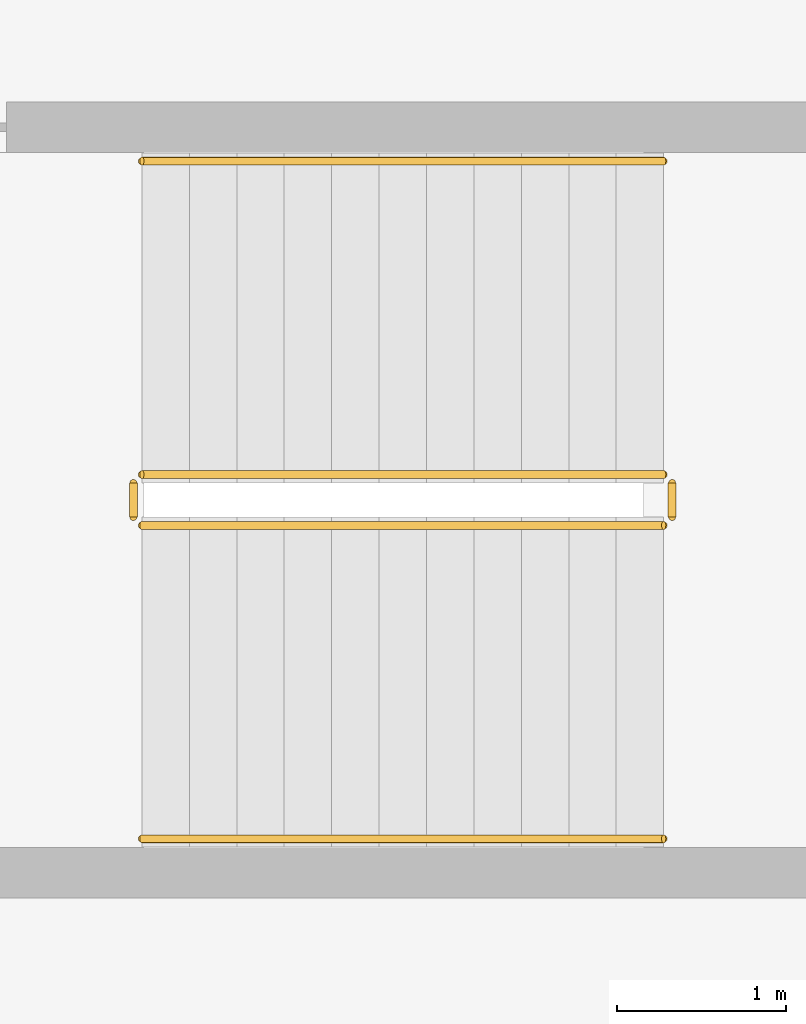
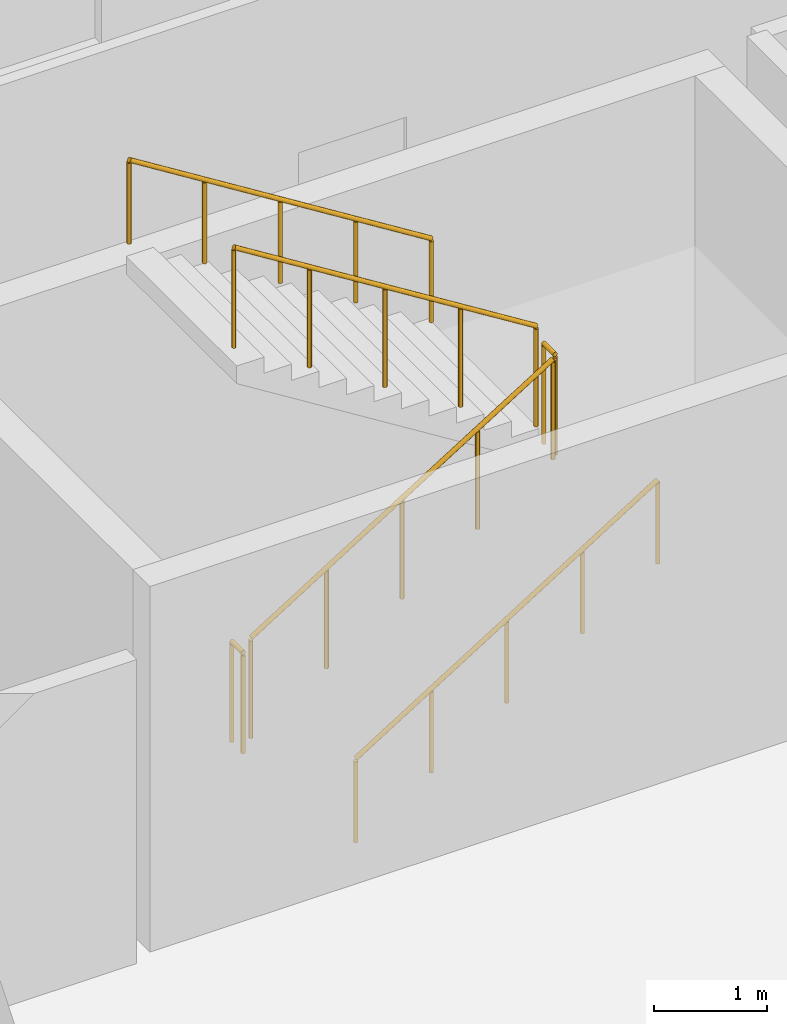
# One storey, part 91 of 94: 6 railings.
"""IFC4 building model written with IfcOpenShell, lengths in metres."""

import ifcopenshell
import ifcopenshell.guid

model = None  # the IFC model being written
_history = None  # IfcOwnerHistory: only IFC2X3 demands one
_inside = {}  # id of a spatial element -> (the spatial element, [elements in it])
_under = {}  # id of a project, library or spatial element -> (it, [spatial elements below it])
_declared = {}  # id of a project -> (the project, [libraries it declares])
_typed = {}  # id of a type object -> (the type object, [elements of that type])
_made_of = {}  # id of a material, layer set ... -> (it, [elements and type objects made of it])


def new_model(schema):
    """Start an empty IFC model of exactly this schema.

    Asked for "IFC4X3", IfcOpenShell would pick the latest addendum, in which some entities
    have other attributes; the version numbers below select the first issue.
    IFC2X3 requires an IfcOwnerHistory on every rooted entity: one is made here for all.
    """
    global model, _history
    if schema == "IFC4X3":
        model = ifcopenshell.file(schema_version=(4, 3, 0, 0))
    else:
        model = ifcopenshell.file(schema=schema)
    _inside.clear()
    _under.clear()
    _declared.clear()
    _typed.clear()
    _made_of.clear()
    _history = None
    if model.schema == "IFC2X3":
        org = make("IfcOrganization", Name="unknown")
        user = make(
            "IfcPersonAndOrganization",
            ThePerson=make("IfcPerson", FamilyName="unknown"),
            TheOrganization=org,
        )
        app = make(
            "IfcApplication",
            ApplicationDeveloper=org,
            Version="unknown",
            ApplicationFullName="unknown",
            ApplicationIdentifier="unknown",
        )
        _history = make(
            "IfcOwnerHistory",
            OwningUser=user,
            OwningApplication=app,
            ChangeAction="ADDED",
            CreationDate=0,
        )
    return model


def make(cls, **values):
    """One entity of the class cls with the attributes given. An attribute that is None is left unset."""
    return model.create_entity(
        cls, **{name: value for name, value in values.items() if value is not None}
    )


def rooted(cls, **values):
    """An entity with a GlobalId (a new one), such as an element, a storey or a relation."""
    return make(cls, GlobalId=ifcopenshell.guid.new(), OwnerHistory=_history, **values)


def si_unit(unit_type, name, prefix=None):
    """IfcSIUnit, for example si_unit("LENGTHUNIT", "METRE", prefix="MILLI")."""
    return make("IfcSIUnit", UnitType=unit_type, Prefix=prefix, Name=name)


def assignment(units):
    """IfcUnitAssignment: the units of a project."""
    return None if units is None else make("IfcUnitAssignment", Units=units)


def point(xyz):
    """IfcCartesianPoint."""
    return None if xyz is None else make("IfcCartesianPoint", Coordinates=xyz)


def direction(xyz):
    """IfcDirection."""
    return None if xyz is None else make("IfcDirection", DirectionRatios=xyz)


def frame(location, z_axis=None, x_axis=None):
    """IfcAxis2Placement3D, a coordinate frame: its origin and axes. An axis left out is left unset."""
    return make(
        "IfcAxis2Placement3D",
        Location=point(location),
        Axis=direction(z_axis),
        RefDirection=direction(x_axis),
    )


def frame_2d(location, x_axis=None):
    """IfcAxis2Placement2D, a coordinate frame in the plane: its origin and x axis."""
    return make(
        "IfcAxis2Placement2D", Location=point(location), RefDirection=direction(x_axis)
    )


def origin():
    """The frame at (0, 0, 0) with its axes left unset."""
    return frame((0.0, 0.0, 0.0))


def origin_2d():
    """The frame at (0, 0) in the plane with its x axis left unset."""
    return frame_2d((0.0, 0.0))


def place(relative_to, where):
    """IfcLocalPlacement: puts the frame where relative to a parent placement (None: the world)."""
    return make(
        "IfcLocalPlacement", PlacementRelTo=relative_to, RelativePlacement=where
    )


def context(
    kind, dimensions, precision=None, world=None, true_north=None, identifier=None
):
    """IfcGeometricRepresentationContext, for example the 3D "Model" context."""
    return make(
        "IfcGeometricRepresentationContext",
        ContextIdentifier=identifier,
        ContextType=kind,
        CoordinateSpaceDimension=dimensions,
        Precision=precision,
        WorldCoordinateSystem=world,
        TrueNorth=true_north,
    )


def subcontext(parent, identifier, kind, view, scale=None):
    """IfcGeometricRepresentationSubContext, for example "Body" below "Model"."""
    return make(
        "IfcGeometricRepresentationSubContext",
        ContextIdentifier=identifier,
        ContextType=kind,
        ParentContext=parent,
        TargetScale=scale,
        TargetView=view,
    )


def project(units=None, contexts=None):
    """IfcProject with its units and contexts."""
    return rooted(
        "IfcProject",
        Name="project",
        RepresentationContexts=contexts,
        UnitsInContext=assignment(units),
    )


def spatial(cls, under=None, at=None, **own):
    """A site, building, storey or space (cls), placed at a placement, below another one or the project."""
    s = rooted(cls, ObjectPlacement=at, **own)
    if under is not None:
        _under.setdefault(under.id(), (under, []))[1].append(s)
    return s


def profile(cls, at=None, kind="AREA", **sizes):
    """A parametric profile (cls). Its sizes go by their IFC names, for example OverallWidth=200.0."""
    return make(cls, ProfileType=kind, Position=at, **sizes)


def circle(**sizes):
    """IfcCircleProfileDef."""
    return profile("IfcCircleProfileDef", **sizes)


def extrude(swept, where, along, depth):
    """IfcExtrudedAreaSolid: the profile swept, set in the frame where, extruded along a direction by depth."""
    return make(
        "IfcExtrudedAreaSolid",
        SweptArea=swept,
        Position=where,
        ExtrudedDirection=direction(along),
        Depth=depth,
    )


def shape(context_of_items, identifier, shape_type, items):
    """IfcShapeRepresentation: the items that make up one representation, for example the "Body"."""
    return make(
        "IfcShapeRepresentation",
        ContextOfItems=context_of_items,
        RepresentationIdentifier=identifier,
        RepresentationType=shape_type,
        Items=items,
    )


def material(Name=None, Category=None):
    """IfcMaterial."""
    return make("IfcMaterial", Name=Name, Category=Category)


def layer(
    of_material, thickness, ventilated=None, Name=None, Category=None, Priority=None
):
    """IfcMaterialLayer: one layer of a wall or slab, of a material (None: an air gap)."""
    return make(
        "IfcMaterialLayer",
        Material=of_material,
        LayerThickness=thickness,
        IsVentilated=ventilated,
        Name=Name,
        Category=Category,
        Priority=Priority,
    )


def layer_set(layers, Name=None):
    """IfcMaterialLayerSet."""
    return make("IfcMaterialLayerSet", MaterialLayers=layers, LayerSetName=Name)


def made_of(thing, what):
    """Note that an element or type object is made of a material, layer set ...; save() writes the relation."""
    if what is not None:
        _made_of.setdefault(what.id(), (what, []))[1].append(thing)
    return thing


def type_object(cls, material=None, **own):
    """A type object (cls), such as IfcWallType, which elements share."""
    return made_of(rooted(cls, **own), material)


def element(
    cls,
    number,
    at=None,
    inside=None,
    cuts=None,
    type_object=None,
    material=None,
    context=None,
    identifier="Body",
    shape_type=None,
    held_by="IfcProductDefinitionShape",
    body=None,
    shapes=None,
    **own,
):
    """One element of the class cls, such as IfcWall. Its Tag is "e" and its number.

    at: its placement. inside: the storey or other place that contains it. cuts: it is an
    opening in that element (IfcRelVoidsElement). A single representation is given by context,
    identifier, shape_type and body (its items); several are given by shapes. held_by: the class
    of the entity that holds the representations. save() writes the other relations.
    """
    e = rooted(cls, Tag="e%d" % number, ObjectPlacement=at, **own)
    if body is not None:
        shapes = [shape(context, identifier, shape_type, body)]
    if shapes is not None:
        e.Representation = make(held_by, Representations=shapes)
    if inside is not None:
        _inside.setdefault(inside.id(), (inside, []))[1].append(e)
    if cuts is not None:
        rooted(
            "IfcRelVoidsElement", RelatingBuildingElement=cuts, RelatedOpeningElement=e
        )
    if type_object is not None:
        _typed.setdefault(type_object.id(), (type_object, []))[1].append(e)
    return made_of(e, material)


def aggregate(whole, parts):
    """IfcRelAggregates: a whole, such as a stair, and the parts it consists of."""
    return rooted("IfcRelAggregates", RelatingObject=whole, RelatedObjects=parts)


def save(model, path):
    """Write the relations noted so far, then the file.

    IfcRelAggregates (storeys below a building ...), IfcRelContainedInSpatialStructure (elements
    in a storey), IfcRelDefinesByType, IfcRelAssociatesMaterial and IfcRelDeclares: one each for
    every whole, place, type object, material and project.
    """
    for whole, parts in _under.values():
        aggregate(whole, parts)
    for where, things in _inside.values():
        rooted(
            "IfcRelContainedInSpatialStructure",
            RelatedElements=things,
            RelatingStructure=where,
        )
    for kind, things in _typed.values():
        rooted("IfcRelDefinesByType", RelatedObjects=things, RelatingType=kind)
    for what, things in _made_of.values():
        rooted("IfcRelAssociatesMaterial", RelatedObjects=things, RelatingMaterial=what)
    for by, libraries in _declared.values():
        rooted("IfcRelDeclares", RelatingContext=by, RelatedDefinitions=libraries)
    model.write(path)


model = new_model("IFC4")

# Units and contexts
model_context = context("Model", 3, precision=1e-05, world=origin(), true_north=direction((0.0, 1.0)))
body_context = subcontext(model_context, "Body", "Model", "MODEL_VIEW")
ifc_project = project(units=[si_unit("LENGTHUNIT", "METRE"), si_unit("AREAUNIT", "SQUARE_METRE"), si_unit("VOLUMEUNIT", "CUBIC_METRE"), si_unit("PLANEANGLEUNIT", "RADIAN"), si_unit("MASSUNIT", "GRAM", prefix="KILO")], contexts=[model_context])

# Site, building, storey
site_placement = place(None, origin())
site = spatial("IfcSite", under=ifc_project, at=site_placement, CompositionType="ELEMENT")
building_placement = place(site_placement, origin())
building = spatial("IfcBuilding", under=site, at=building_placement, Name="Chiffa Square Polytechnic", CompositionType="ELEMENT")
storey_placement = place(building_placement, frame((0.0, 0.0, 18.0)))
storey = spatial("IfcBuildingStorey", under=building, at=storey_placement, Name="L04", CompositionType="ELEMENT", Elevation=18.0)

# Railings
ifc_material = material(Name="Steel S355", Category="steel")
ifc_layer_1 = layer(ifc_material, 0.050048828125, Name="Steel S355")
ifc_layer_set_1 = layer_set([ifc_layer_1], Name="Steel S355")
railing_type_1 = type_object("IfcRailingType", Name="RL-STAIR-GUARD", PredefinedType="GUARDRAIL", material=ifc_layer_set_1)
railing_1_placement = place(storey_placement, frame((124.199951171875, 19.64990234375, 0.175048828125)))
element("IfcRailing", 1, at=railing_1_placement, inside=storey, type_object=railing_type_1, Name="L04 ST-V1A stair guard 1", PredefinedType="GUARDRAIL", context=body_context, shape_type="SweptSolid", body=[
    extrude(circle(Radius=0.02392578125, at=origin_2d()), frame((0.0, 0.0, 1.076171875), z_axis=(0.847998304005, 0.0, 0.529998940003), x_axis=(0.0, 1.0, 0.0)), (0.0, 0.0, 1.0), 3.632080078125),
    extrude(circle(Radius=0.02099609375, at=origin_2d()), origin(), (0.0, 0.0, 1.0), 1.052001953125),
    extrude(circle(Radius=0.02099609375, at=origin_2d()), frame((0.77001953125, 0.0, 0.481201171875)), (0.0, 0.0, 1.0), 1.052001953125),
    extrude(circle(Radius=0.02099609375, at=origin_2d()), frame((1.5400390625, 0.0, 0.96240234375)), (0.0, 0.0, 1.0), 1.052001953125),
    extrude(circle(Radius=0.02099609375, at=origin_2d()), frame((2.31005859375, 0.0, 1.44384765625)), (0.0, 0.0, 1.0), 1.052001953125),
    extrude(circle(Radius=0.02099609375, at=origin_2d()), frame((3.080078125, 0.0, 1.925048828125)), (0.0, 0.0, 1.0), 1.052001953125),
])
railing_2_placement = place(storey_placement, frame((127.330078125, 19.699951171875, 2.10009765625)))
element("IfcRailing", 2, at=railing_2_placement, inside=storey, type_object=railing_type_1, Name="L04 ST-V1A stair guard 2", PredefinedType="GUARDRAIL", context=body_context, shape_type="SweptSolid", body=[
    extrude(circle(Radius=0.02392578125, at=origin_2d()), frame((0.0, 0.0, 1.076171875), z_axis=(0.0, 1.0, 0.0), x_axis=(-1.0, 0.0, 0.0)), (0.0, 0.0, 1.0), 0.199951171875),
    extrude(circle(Radius=0.02099609375, at=origin_2d()), origin(), (0.0, 0.0, 1.0), 1.052001953125),
    extrude(circle(Radius=0.02099609375, at=origin_2d()), frame((0.0, 0.199951171875, 0.0)), (0.0, 0.0, 1.0), 1.052001953125),
])
railing_3_placement = place(storey_placement, frame((127.280029296875, 19.949951171875, 2.27490234375)))
element("IfcRailing", 3, at=railing_3_placement, inside=storey, type_object=railing_type_1, Name="L04 ST-V1A stair guard 3", PredefinedType="GUARDRAIL", context=body_context, shape_type="SweptSolid", body=[
    extrude(circle(Radius=0.02392578125, at=origin_2d()), frame((0.0, 0.0, 1.076171875), z_axis=(-0.847998304005, 0.0, 0.529998940003), x_axis=(0.0, -1.0, 0.0)), (0.0, 0.0, 1.0), 3.632080078125),
    extrude(circle(Radius=0.02099609375, at=origin_2d()), origin(), (0.0, 0.0, 1.0), 1.052001953125),
    extrude(circle(Radius=0.02099609375, at=origin_2d()), frame((-0.77001953125, 0.0, 0.481201171875)), (0.0, 0.0, 1.0), 1.052001953125),
    extrude(circle(Radius=0.02099609375, at=origin_2d()), frame((-1.5400390625, 0.0, 0.96240234375)), (0.0, 0.0, 1.0), 1.052001953125),
    extrude(circle(Radius=0.02099609375, at=origin_2d()), frame((-2.31005859375, 0.0, 1.44384765625)), (0.0, 0.0, 1.0), 1.052001953125),
    extrude(circle(Radius=0.02099609375, at=origin_2d()), frame((-3.080078125, 0.0, 1.925048828125)), (0.0, 0.0, 1.0), 1.052001953125),
])
railing_4_placement = place(storey_placement, frame((124.14990234375, 19.699951171875, 0.0)))
element("IfcRailing", 4, at=railing_4_placement, inside=storey, type_object=railing_type_1, Name="L04 ST-V1A stair guard 4", PredefinedType="GUARDRAIL", context=body_context, shape_type="SweptSolid", body=[
    extrude(circle(Radius=0.02392578125, at=origin_2d()), frame((0.0, 0.0, 1.076171875), z_axis=(0.0, 1.0, 0.0), x_axis=(-1.0, 0.0, 0.0)), (0.0, 0.0, 1.0), 0.199951171875),
    extrude(circle(Radius=0.02099609375, at=origin_2d()), origin(), (0.0, 0.0, 1.0), 1.052001953125),
    extrude(circle(Radius=0.02099609375, at=origin_2d()), frame((0.0, 0.199951171875, 0.0)), (0.0, 0.0, 1.0), 1.052001953125),
])
ifc_layer_2 = layer(ifc_material, 0.044921875, Name="Steel S355")
ifc_layer_set_2 = layer_set([ifc_layer_2], Name="Steel S355")
railing_type_2 = type_object("IfcRailingType", Name="RL-STAIR-HAND", PredefinedType="HANDRAIL", material=ifc_layer_set_2)
railing_5_placement = place(storey_placement, frame((124.199951171875, 17.800048828125, 0.175048828125)))
element("IfcRailing", 5, at=railing_5_placement, inside=storey, type_object=railing_type_2, Name="L04 ST-V1A stair handrail 1", PredefinedType="HANDRAIL", context=body_context, shape_type="SweptSolid", body=[
    extrude(circle(Radius=0.02392578125, at=origin_2d()), frame((0.0, 0.0, 0.89599609375), z_axis=(0.847998304005, 0.0, 0.529998940003), x_axis=(0.0, 1.0, 0.0)), (0.0, 0.0, 1.0), 3.632080078125),
    extrude(circle(Radius=0.02099609375, at=origin_2d()), origin(), (0.0, 0.0, 1.0), 0.871826171875),
    extrude(circle(Radius=0.02099609375, at=origin_2d()), frame((0.77001953125, 0.0, 0.481201171875)), (0.0, 0.0, 1.0), 0.871826171875),
    extrude(circle(Radius=0.02099609375, at=origin_2d()), frame((1.5400390625, 0.0, 0.96240234375)), (0.0, 0.0, 1.0), 0.871826171875),
    extrude(circle(Radius=0.02099609375, at=origin_2d()), frame((2.31005859375, 0.0, 1.44384765625)), (0.0, 0.0, 1.0), 0.871826171875),
    extrude(circle(Radius=0.02099609375, at=origin_2d()), frame((3.080078125, 0.0, 1.925048828125)), (0.0, 0.0, 1.0), 0.871826171875),
])
railing_6_placement = place(storey_placement, frame((127.280029296875, 21.800048828125, 2.27490234375)))
element("IfcRailing", 6, at=railing_6_placement, inside=storey, type_object=railing_type_2, Name="L04 ST-V1A stair handrail 2", PredefinedType="HANDRAIL", context=body_context, shape_type="SweptSolid", body=[
    extrude(circle(Radius=0.02392578125, at=origin_2d()), frame((0.0, 0.0, 0.89599609375), z_axis=(-0.847998304005, 0.0, 0.529998940003), x_axis=(0.0, -1.0, 0.0)), (0.0, 0.0, 1.0), 3.632080078125),
    extrude(circle(Radius=0.02099609375, at=origin_2d()), origin(), (0.0, 0.0, 1.0), 0.871826171875),
    extrude(circle(Radius=0.02099609375, at=origin_2d()), frame((-0.77001953125, 0.0, 0.481201171875)), (0.0, 0.0, 1.0), 0.871826171875),
    extrude(circle(Radius=0.02099609375, at=origin_2d()), frame((-1.5400390625, 0.0, 0.96240234375)), (0.0, 0.0, 1.0), 0.871826171875),
    extrude(circle(Radius=0.02099609375, at=origin_2d()), frame((-2.31005859375, 0.0, 1.44384765625)), (0.0, 0.0, 1.0), 0.871826171875),
    extrude(circle(Radius=0.02099609375, at=origin_2d()), frame((-3.080078125, 0.0, 1.925048828125)), (0.0, 0.0, 1.0), 0.871826171875),
])

save(model, "model.ifc")
